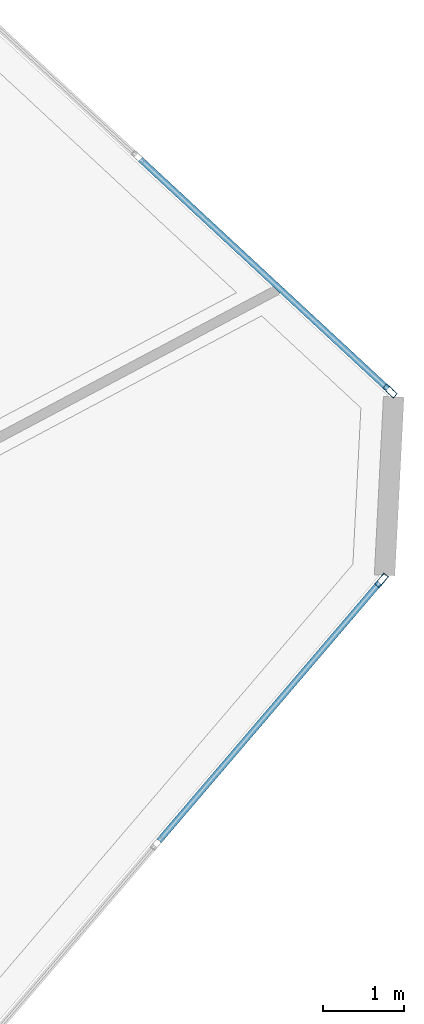
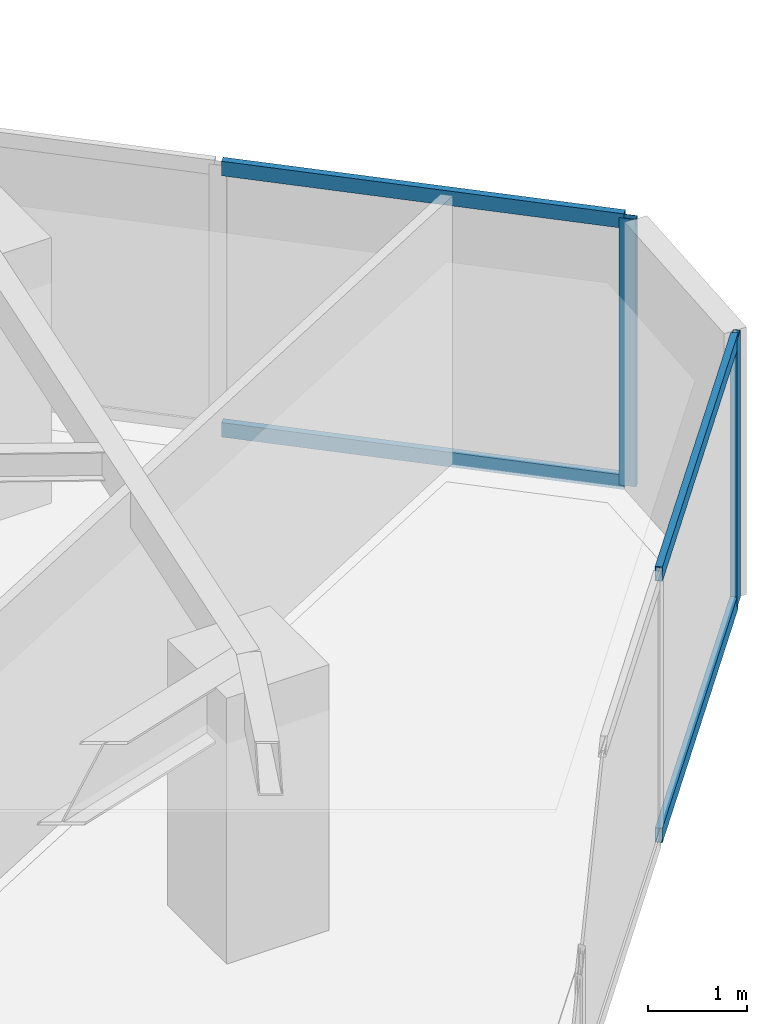
# One storey, part 13 of 22: 6 members, 2 elements without a shape of their own.
"""IFC4 building model written with IfcOpenShell, lengths in metres."""

from ifc_helpers import new_model, si_unit, direction, frame, origin, origin_2d, place, context, subcontext, project, spatial, hollow_rectangle, extrude, source, transform, mapped, material, layer, layer_set, material_profile, profile_set, type_object, type_shapes, element, aggregate, save


model = new_model("IFC4")

# Units and contexts
model_context = context("Model", 3, precision=1e-05, world=origin(), true_north=direction((0.0, 1.0)))
body_context = subcontext(model_context, "Body", "Model", "MODEL_VIEW")
ifc_project = project(units=[si_unit("LENGTHUNIT", "METRE"), si_unit("AREAUNIT", "SQUARE_METRE"), si_unit("VOLUMEUNIT", "CUBIC_METRE"), si_unit("PLANEANGLEUNIT", "RADIAN"), si_unit("MASSUNIT", "GRAM", prefix="KILO")], contexts=[model_context])

# Site, building, storey
site_placement = place(None, origin())
site = spatial("IfcSite", under=ifc_project, at=site_placement, CompositionType="ELEMENT")
building_placement = place(site_placement, origin())
building = spatial("IfcBuilding", under=site, at=building_placement, Name="Talar Marvaseh", CompositionType="ELEMENT")
storey_placement = place(building_placement, frame((0.0, 0.0, 107.39990234375)))
storey = spatial("IfcBuildingStorey", under=building, at=storey_placement, Name="L27", CompositionType="ELEMENT", Elevation=107.39990234375)

# Curtain wall, member
ifc_material = material(Name="Architectural Aluminium", Category="aluminium")
ifc_layer = layer(ifc_material, 0.199951171875)
ifc_layer_set = layer_set([ifc_layer], Name="Architectural Aluminium")
curtain_wall_type = type_object("IfcCurtainWallType", Name="Unitised Acoustic Library Curtain Wall Z2", PredefinedType="NOTDEFINED", material=ifc_layer_set)
curtain_wall_1_placement = place(storey_placement, origin())
curtain_wall_1 = element("IfcCurtainWall", 1, at=curtain_wall_1_placement, inside=storey, type_object=curtain_wall_type, Name="L27 Unitised Acoustic Library Curtain Wall Z2", PredefinedType="NOTDEFINED")
ifc_material_profile_1 = material_profile(ifc_material, hollow_rectangle(XDim=0.074951171875, YDim=0.179931640625, WallThickness=0.0048828125, at=origin_2d()), Name="RHS180x75x5")
ifc_profile_set_1 = profile_set([ifc_material_profile_1], Name="Architectural Aluminium")
member_type_1 = type_object("IfcMemberType", Name="Unitised Curtain Wall Standard Mullion RHS180x75x5", PredefinedType="MULLION", material=ifc_profile_set_1)
shared_shape_1 = source(origin(), body_context, "Body", "SweptSolid", [
    extrude(hollow_rectangle(XDim=0.074951171875, YDim=0.179931640625, WallThickness=0.0048828125, at=origin_2d()), origin(), (0.0, 0.0, 1.0), 3.31005859375),
])
type_shapes(member_type_1, [shared_shape_1])
member_1_placement = place(storey_placement, frame((48.89599609375, 32.870361328125, 0.0), z_axis=(0.0, 0.0, 1.0), x_axis=(0.680030201623, 0.733184100264, 0.0)))
member_1 = element("IfcMember", 2, at=member_1_placement, type_object=member_type_1, Name="CW-Z2 mullion 5", PredefinedType="MULLION", context=body_context, shape_type="MappedRepresentation", body=[
    mapped(shared_shape_1, transform((0.0, 0.0, 0.0), x_axis=(1.0, 0.0, 0.0), y_axis=(0.0, 1.0, 0.0), z_axis=(0.0, 0.0, 1.0), scale=1.0)),
])

curtain_wall_2_placement = place(storey_placement, origin())
curtain_wall_2 = element("IfcCurtainWall", 3, at=curtain_wall_2_placement, inside=storey, type_object=curtain_wall_type, Name="L27 Unitised Acoustic Library Curtain Wall Z2", PredefinedType="NOTDEFINED")
member_2_placement = place(storey_placement, frame((48.791015625, 30.51953125, 0.0), z_axis=(0.0, 0.0, 1.0), x_axis=(0.760304758607, -0.649566527801, 0.0)))
member_2 = element("IfcMember", 4, at=member_2_placement, type_object=member_type_1, Name="CW-Z2 mullion 1", PredefinedType="MULLION", context=body_context, shape_type="MappedRepresentation", body=[
    mapped(shared_shape_1, transform((0.0, 0.0, 0.0), x_axis=(1.0, 0.0, 0.0), y_axis=(0.0, 1.0, 0.0), z_axis=(0.0, 0.0, 1.0), scale=1.0)),
])

# Member
ifc_material_profile_2 = material_profile(ifc_material, hollow_rectangle(XDim=0.074951171875, YDim=0.179931640625, WallThickness=0.0048828125, at=origin_2d()), Name="RHS180x75x5")
ifc_profile_set_2 = profile_set([ifc_material_profile_2], Name="Architectural Aluminium")
member_type_2 = type_object("IfcMemberType", Name="Unitised Curtain Wall Transom RHS180x75x5", PredefinedType="USERDEFINED", material=ifc_profile_set_2)
shared_shape_2 = source(origin(), body_context, "Body", "SweptSolid", [
    extrude(hollow_rectangle(XDim=0.074951171875, YDim=0.179931640625, WallThickness=0.0048828125, at=origin_2d()), origin(), (0.0, 0.0, 1.0), 4.185302734375),
])
member_3_placement = place(storey_placement, frame((45.800048828125, 35.741943359375, 0.03759765625), z_axis=(0.733177728149, -0.680037071744, 0.0), x_axis=(0.680037071744, 0.733177728149, 0.0)))
member_3 = element("IfcMember", 5, at=member_3_placement, type_object=member_type_2, Name="CW-Z2 transom 4.1", ObjectType="TRANSOM", PredefinedType="USERDEFINED", context=body_context, shape_type="MappedRepresentation", body=[
    mapped(shared_shape_2, transform((0.0, 0.0, 0.0), x_axis=(1.0, 0.0, 0.0), y_axis=(0.0, 1.0, 0.0), z_axis=(0.0, 0.0, 1.0), scale=1.0)),
])

member_4_placement = place(storey_placement, frame((45.800048828125, 35.741943359375, 3.272705078125), z_axis=(0.733177728149, -0.680037071744, 0.0), x_axis=(0.680037071744, 0.733177728149, 0.0)))
member_4 = element("IfcMember", 6, at=member_4_placement, type_object=member_type_2, Name="CW-Z2 transom 4.2", ObjectType="TRANSOM", PredefinedType="USERDEFINED", context=body_context, shape_type="MappedRepresentation", body=[
    mapped(shared_shape_2, transform((0.0, 0.0, 0.0), x_axis=(1.0, 0.0, 0.0), y_axis=(0.0, 1.0, 0.0), z_axis=(0.0, 0.0, 1.0), scale=1.0)),
])

aggregate(curtain_wall_1, [member_1, member_3, member_4])

shared_shape_3 = source(origin(), body_context, "Body", "SweptSolid", [
    extrude(hollow_rectangle(XDim=0.074951171875, YDim=0.179931640625, WallThickness=0.0048828125, at=origin_2d()), origin(), (0.0, 0.0, 1.0), 4.2109375),
])
type_shapes(member_type_2, [shared_shape_2, shared_shape_3])
member_5_placement = place(storey_placement, frame((48.7666015625, 30.490966796875, 0.03759765625), z_axis=(-0.64956824999, -0.760303287251, 0.0), x_axis=(0.760303287251, -0.64956824999, 0.0)))
member_5 = element("IfcMember", 7, at=member_5_placement, type_object=member_type_2, Name="CW-Z2 transom 1.1", ObjectType="TRANSOM", PredefinedType="USERDEFINED", context=body_context, shape_type="MappedRepresentation", body=[
    mapped(shared_shape_3, transform((0.0, 0.0, 0.0), x_axis=(1.0, 0.0, 0.0), y_axis=(0.0, 1.0, 0.0), z_axis=(0.0, 0.0, 1.0), scale=1.0)),
])

member_6_placement = place(storey_placement, frame((48.7666015625, 30.490966796875, 3.272705078125), z_axis=(-0.64956824999, -0.760303287251, 0.0), x_axis=(0.760303287251, -0.64956824999, 0.0)))
member_6 = element("IfcMember", 8, at=member_6_placement, type_object=member_type_2, Name="CW-Z2 transom 1.2", ObjectType="TRANSOM", PredefinedType="USERDEFINED", context=body_context, shape_type="MappedRepresentation", body=[
    mapped(shared_shape_3, transform((0.0, 0.0, 0.0), x_axis=(1.0, 0.0, 0.0), y_axis=(0.0, 1.0, 0.0), z_axis=(0.0, 0.0, 1.0), scale=1.0)),
])

aggregate(curtain_wall_2, [member_2, member_5, member_6])

save(model, "model.ifc")
